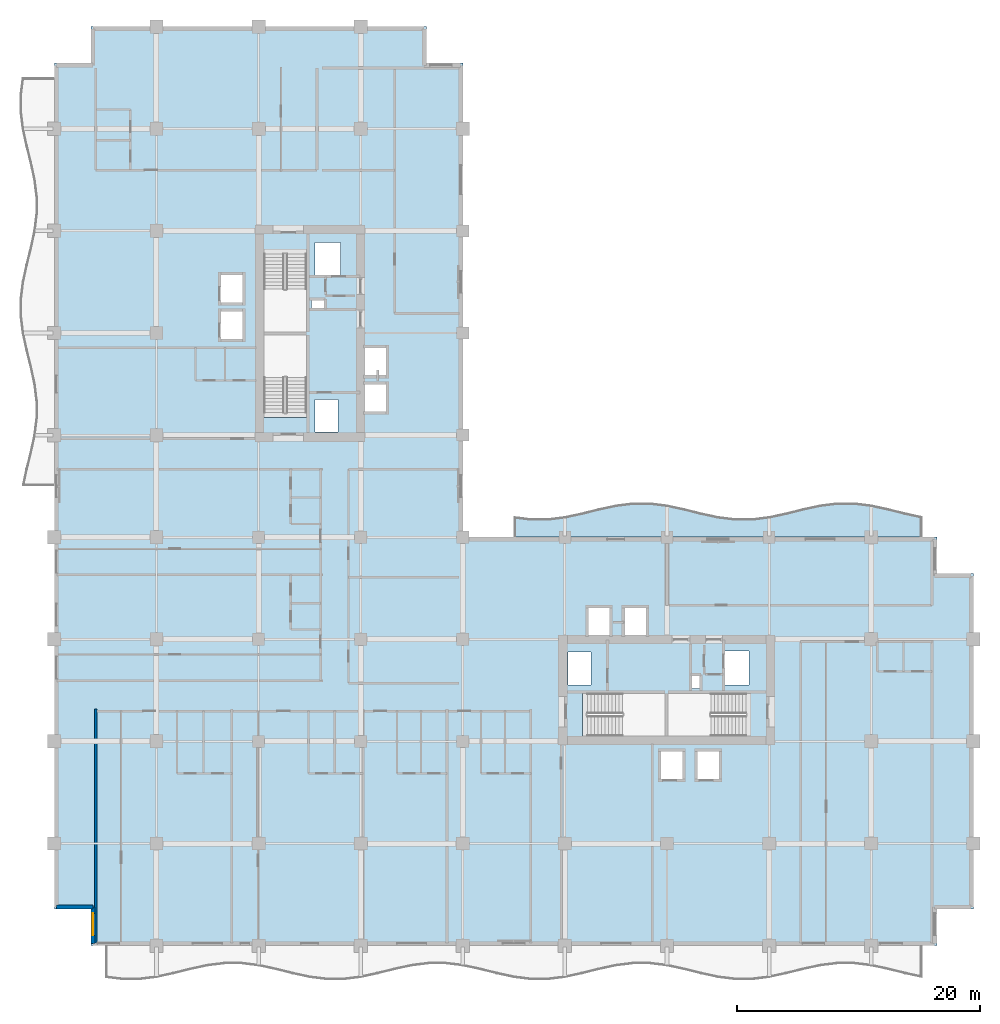
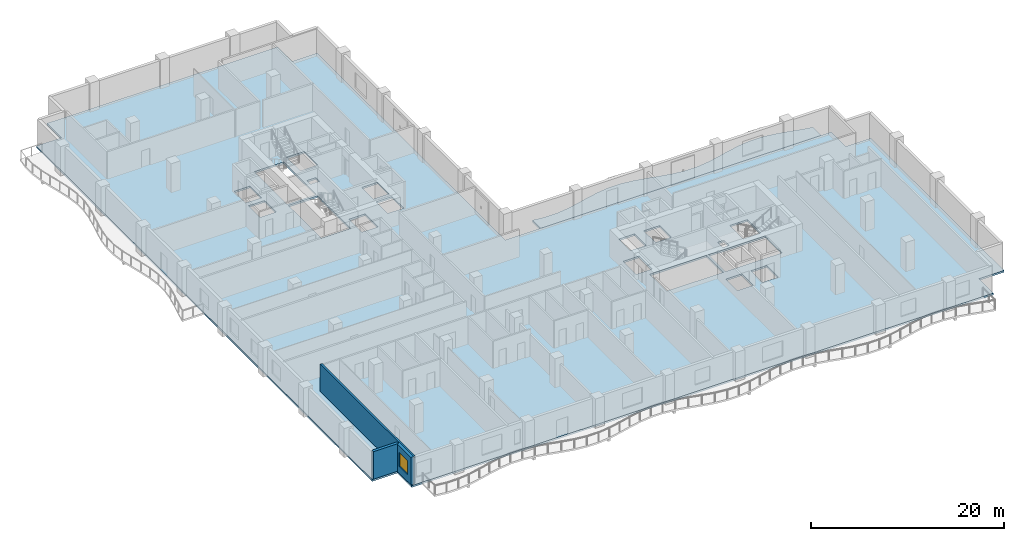
# One storey, part 3 of 16: 3 walls, 2 slabs, 1 window, 1 opening.
"""IFC4 building model written with IfcOpenShell, lengths in metres."""

from ifc_helpers import new_model, si_unit, direction, frame, frame_2d, origin, place, context, subcontext, project, spatial, polyline, rectangle, outline, extrude, material, layer, layer_set, type_object, element, fill, save


model = new_model("IFC4")

# Units and contexts
model_context = context("Model", 3, precision=1e-05, world=origin(), true_north=direction((0.0, 1.0)))
body_context = subcontext(model_context, "Body", "Model", "MODEL_VIEW")
ifc_project = project(units=[si_unit("LENGTHUNIT", "METRE"), si_unit("AREAUNIT", "SQUARE_METRE"), si_unit("VOLUMEUNIT", "CUBIC_METRE"), si_unit("PLANEANGLEUNIT", "RADIAN"), si_unit("MASSUNIT", "GRAM", prefix="KILO")], contexts=[model_context])

# Site, building, storey
site_placement = place(None, origin())
site = spatial("IfcSite", under=ifc_project, at=site_placement, CompositionType="ELEMENT")
building_placement = place(site_placement, origin())
building = spatial("IfcBuilding", under=site, at=building_placement, Name="Koriwani Terraces Tower", CompositionType="ELEMENT")
storey_placement = place(building_placement, frame((0.0, 0.0, 179.10009765625)))
storey = spatial("IfcBuildingStorey", under=building, at=storey_placement, Name="L43", CompositionType="ELEMENT", Elevation=179.10009765625)

# Slabs
ifc_material_1 = material(Name="Concrete C40/50", Category="concrete")
ifc_layer_1 = layer(ifc_material_1, 0.219970703125, Name="Concrete C40/50")
ifc_layer_set_1 = layer_set([ifc_layer_1], Name="Concrete C40/50")
slab_type_1 = type_object("IfcSlabType", Name="SLAB_BALCONY_220", PredefinedType="FLOOR", material=ifc_layer_set_1)
slab_1_placement = place(storey_placement, frame((0.0, 0.0, -0.22021484375)))
element("IfcSlab", 1, at=slab_1_placement, inside=storey, type_object=slab_type_1, Name="L43 Quilted Circular-Arc Balcony (NE)", PredefinedType="FLOOR", context=body_context, shape_type="SweptSolid", body=[
    extrude(outline(polyline([(71.39990234375, 33.60009765625), (70.0, 33.60009765625), (68.60009765625, 33.60009765625), (67.199951171875, 33.60009765625), (65.800048828125, 33.60009765625), (64.39990234375, 33.60009765625), (63.0, 33.60009765625), (61.60009765625, 33.60009765625), (60.199951171875, 33.60009765625), (58.800048828125, 33.60009765625), (57.39990234375, 33.60009765625), (56.0, 33.60009765625), (54.60009765625, 33.60009765625), (53.199951171875, 33.60009765625), (51.800048828125, 33.60009765625), (50.39990234375, 33.60009765625), (49.0, 33.60009765625), (47.60009765625, 33.60009765625), (46.199951171875, 33.60009765625), (44.800048828125, 33.60009765625), (43.39990234375, 33.60009765625), (42.0, 33.60009765625), (40.60009765625, 33.60009765625), (39.199951171875, 33.60009765625), (37.800048828125, 33.60009765625), (37.800048828125, 35.297607421875), (39.199951171875, 35.123046875), (40.60009765625, 35.123046875), (42.0, 35.297607421875), (43.39990234375, 35.600341796875), (44.800048828125, 35.94970703125), (46.199951171875, 36.252197265625), (47.60009765625, 36.427001953125), (49.0, 36.427001953125), (50.39990234375, 36.252197265625), (51.800048828125, 35.94970703125), (53.199951171875, 35.600341796875), (54.60009765625, 35.297607421875), (56.0, 35.123046875), (57.39990234375, 35.123046875), (58.800048828125, 35.297607421875), (60.199951171875, 35.600341796875), (61.60009765625, 35.94970703125), (63.0, 36.252197265625), (64.39990234375, 36.427001953125), (65.800048828125, 36.427001953125), (67.199951171875, 36.252197265625), (68.60009765625, 35.94970703125), (70.0, 35.600341796875), (71.39990234375, 35.297607421875), (71.39990234375, 33.60009765625)])), origin(), (0.0, 0.0, 1.0), 0.22021484375),
])
ifc_layer_2 = layer(ifc_material_1, 0.22998046875, Name="Concrete C40/50")
ifc_layer_set_2 = layer_set([ifc_layer_2], Name="Concrete C40/50")
slab_type_2 = type_object("IfcSlabType", Name="SLAB_RES_TYP_230", PredefinedType="FLOOR", material=ifc_layer_set_2)
slab_2_placement = place(storey_placement, frame((0.0, 0.0, -0.22998046875)))
element("IfcSlab", 2, at=slab_2_placement, inside=storey, type_object=slab_type_2, Name="L43 Structural Floor Slab", PredefinedType="FLOOR", context=body_context, shape_type="SweptSolid", body=[
    extrude(outline(polyline([(3.0, 0.0), (72.60009765625, 0.0), (72.60009765625, 3.0), (75.60009765625, 3.0), (75.60009765625, 30.60009765625), (72.60009765625, 30.60009765625), (72.60009765625, 33.60009765625), (33.60009765625, 33.60009765625), (33.60009765625, 72.60009765625), (30.60009765625, 72.60009765625), (30.60009765625, 75.60009765625), (3.0, 75.60009765625), (3.0, 72.60009765625), (0.0, 72.60009765625), (0.0, 3.0), (3.0, 3.0), (3.0, 0.0)]), holes=[polyline([(17.25, 43.4599609375), (20.75, 43.4599609375), (20.75, 50.25), (17.25, 50.25), (17.25, 43.4599609375)]), polyline([(17.25, 50.5), (20.75, 50.5), (20.75, 57.2900390625), (17.25, 57.2900390625), (17.25, 50.5)]), polyline([(43.4599609375, 17.25), (50.25, 17.25), (50.25, 20.75), (43.4599609375, 20.75), (43.4599609375, 17.25)]), polyline([(50.5, 17.25), (57.2900390625, 17.25), (57.2900390625, 20.75), (50.5, 20.75), (50.5, 17.25)]), polyline([(13.64990234375, 49.85009765625), (15.550048828125, 49.85009765625), (15.550048828125, 52.25), (13.64990234375, 52.25), (13.64990234375, 49.85009765625)]), polyline([(13.64990234375, 52.85009765625), (15.550048828125, 52.85009765625), (15.550048828125, 55.25), (13.64990234375, 55.25), (13.64990234375, 52.85009765625)]), polyline([(49.85009765625, 13.64990234375), (51.75, 13.64990234375), (51.75, 16.050048828125), (49.85009765625, 16.050048828125), (49.85009765625, 13.64990234375)]), polyline([(52.85009765625, 13.64990234375), (54.75, 13.64990234375), (54.75, 16.050048828125), (52.85009765625, 16.050048828125), (52.85009765625, 13.64990234375)]), polyline([(25.449951171875, 43.85009765625), (27.35009765625, 43.85009765625), (27.35009765625, 46.25), (25.449951171875, 46.25), (25.449951171875, 43.85009765625)]), polyline([(25.449951171875, 46.85009765625), (27.35009765625, 46.85009765625), (27.35009765625, 49.25), (25.449951171875, 49.25), (25.449951171875, 46.85009765625)]), polyline([(43.85009765625, 25.449951171875), (45.75, 25.449951171875), (45.75, 27.85009765625), (43.85009765625, 27.85009765625), (43.85009765625, 25.449951171875)]), polyline([(46.85009765625, 25.449951171875), (48.75, 25.449951171875), (48.75, 27.85009765625), (46.85009765625, 27.85009765625), (46.85009765625, 25.449951171875)]), polyline([(21.449951171875, 55.050048828125), (23.550048828125, 55.050048828125), (23.550048828125, 57.85009765625), (21.449951171875, 57.85009765625), (21.449951171875, 55.050048828125)]), polyline([(55.050048828125, 21.449951171875), (57.14990234375, 21.449951171875), (57.14990234375, 24.25), (55.050048828125, 24.25), (55.050048828125, 21.449951171875)]), polyline([(21.449951171875, 42.25), (23.35009765625, 42.25), (23.35009765625, 44.949951171875), (21.449951171875, 44.949951171875), (21.449951171875, 42.25)]), polyline([(42.25, 21.449951171875), (44.14990234375, 21.449951171875), (44.14990234375, 24.14990234375), (42.25, 24.14990234375), (42.25, 21.449951171875)]), polyline([(21.14990234375, 52.419921875), (22.219970703125, 52.419921875), (22.219970703125, 53.179931640625), (21.14990234375, 53.179931640625), (21.14990234375, 52.419921875)]), polyline([(52.419921875, 21.14990234375), (53.179931640625, 21.14990234375), (53.179931640625, 22.219970703125), (52.419921875, 22.219970703125), (52.419921875, 21.14990234375)])]), origin(), (0.0, 0.0, 1.0), 0.22998046875),
])

# Wall
ifc_material_2 = material(Name="Autoclaved Cellular Concrete Blockwork", Category="masonry")
ifc_layer_3 = layer(ifc_material_2, 0.219970703125, Name="Autoclaved Cellular Concrete Blockwork")
ifc_layer_set_3 = layer_set([ifc_layer_3], Name="Autoclaved Cellular Concrete Blockwork")
wall_type_1 = type_object("IfcWallType", Name="WALL_DEMISING_220", PredefinedType="PARTITIONING", material=ifc_layer_set_3)
wall_1_placement = place(storey_placement, frame((3.39990234375, 0.199951171875, 0.0), z_axis=(0.0, 0.0, 1.0), x_axis=(0.0, 1.0, 0.0)))
element("IfcWall", 3, at=wall_1_placement, inside=storey, type_object=wall_type_1, Name="L43 Interior Wall WRDEM-L43-SW-0", PredefinedType="PARTITIONING", context=body_context, shape_type="SweptSolid", body=[
    extrude(rectangle(XDim=19.280029296875, YDim=0.219970703125, at=frame_2d((9.64013671875, 0.0))), origin(), (0.0, 0.0, 1.0), 3.469970703125),
])

# Wall, opening, window
ifc_material_3 = material(Name="Concrete C50/60", Category="concrete")
ifc_layer_4 = layer(ifc_material_3, 0.35009765625, Name="Concrete C50/60")
ifc_layer_set_4 = layer_set([ifc_layer_4], Name="Concrete C50/60")
wall_type_2 = type_object("IfcWallType", Name="WALL_EXT_BRUTALIST_350", PredefinedType="STANDARD", material=ifc_layer_set_4)
wall_2_placement = place(storey_placement, frame((3.175048828125, 0.175048828125, 0.0), z_axis=(0.0, 0.0, 1.0), x_axis=(0.0, 1.0, 0.0)))
wall_2 = element("IfcWall", 4, at=wall_2_placement, inside=storey, type_object=wall_type_2, Name="L43 Fair-Faced Brutalist Exterior Wall (N0)", PredefinedType="STANDARD", context=body_context, shape_type="SweptSolid", body=[
    extrude(rectangle(XDim=3.0, YDim=0.35009765625, at=frame_2d((1.5, 0.0))), origin(), (0.0, 0.0, 1.0), 3.469970703125),
])
opening_placement = place(wall_2_placement, frame((0.677490234375, 0.0, 0.85009765625)))
opening = element("IfcOpeningElement", 5, at=opening_placement, cuts=wall_2, Name="Opening W-04", PredefinedType="OPENING", context=body_context, shape_type="SweptSolid", body=[
    extrude(rectangle(XDim=1.800048828125, YDim=1.800048828125, at=frame_2d((0.89990234375, 0.89990234375))), frame((0.0, 0.18505859375, 0.0), z_axis=(0.0, -1.0, 0.0), x_axis=(1.0, 0.0, 0.0)), (0.0, 0.0, 1.0), 0.3701171875),
])
ifc_material_4 = material(Name="Tempered Laminated Low-E Glass", Category="glass")
window_type = type_object("IfcWindowType", Name="WIN_RES_BED_1800X1800", PartitioningType="DOUBLE_PANEL_VERTICAL", PredefinedType="WINDOW", material=ifc_material_4)
window_placement = place(opening_placement, origin())
window = element("IfcWindow", 6, at=window_placement, inside=storey, type_object=window_type, Name="L43 Exterior Window (N0-R35)", OverallHeight=1.800048828125, OverallWidth=1.800048828125, PartitioningType="SINGLE_PANEL", PredefinedType="WINDOW", context=body_context, shape_type="SweptSolid", body=[
    extrude(rectangle(XDim=1.800048828125, YDim=1.800048828125, at=frame_2d((0.89990234375, 0.89990234375))), frame((0.0, 0.030029296875, 0.0), z_axis=(0.0, -1.0, 0.0), x_axis=(1.0, 0.0, 0.0)), (0.0, 0.0, 1.0), 0.06005859375),
])
fill(opening, window)

# Wall
wall_3_placement = place(storey_placement, frame((3.175048828125, 3.175048828125, 0.0), z_axis=(0.0, 0.0, 1.0), x_axis=(-1.0, 0.0, 0.0)))
element("IfcWall", 7, at=wall_3_placement, inside=storey, type_object=wall_type_2, Name="L43 Fair-Faced Brutalist Exterior Wall (N1)", PredefinedType="STANDARD", context=body_context, shape_type="SweptSolid", body=[
    extrude(rectangle(XDim=3.0, YDim=0.35009765625, at=frame_2d((1.5, 0.0))), origin(), (0.0, 0.0, 1.0), 3.469970703125),
])

save(model, "model.ifc")
